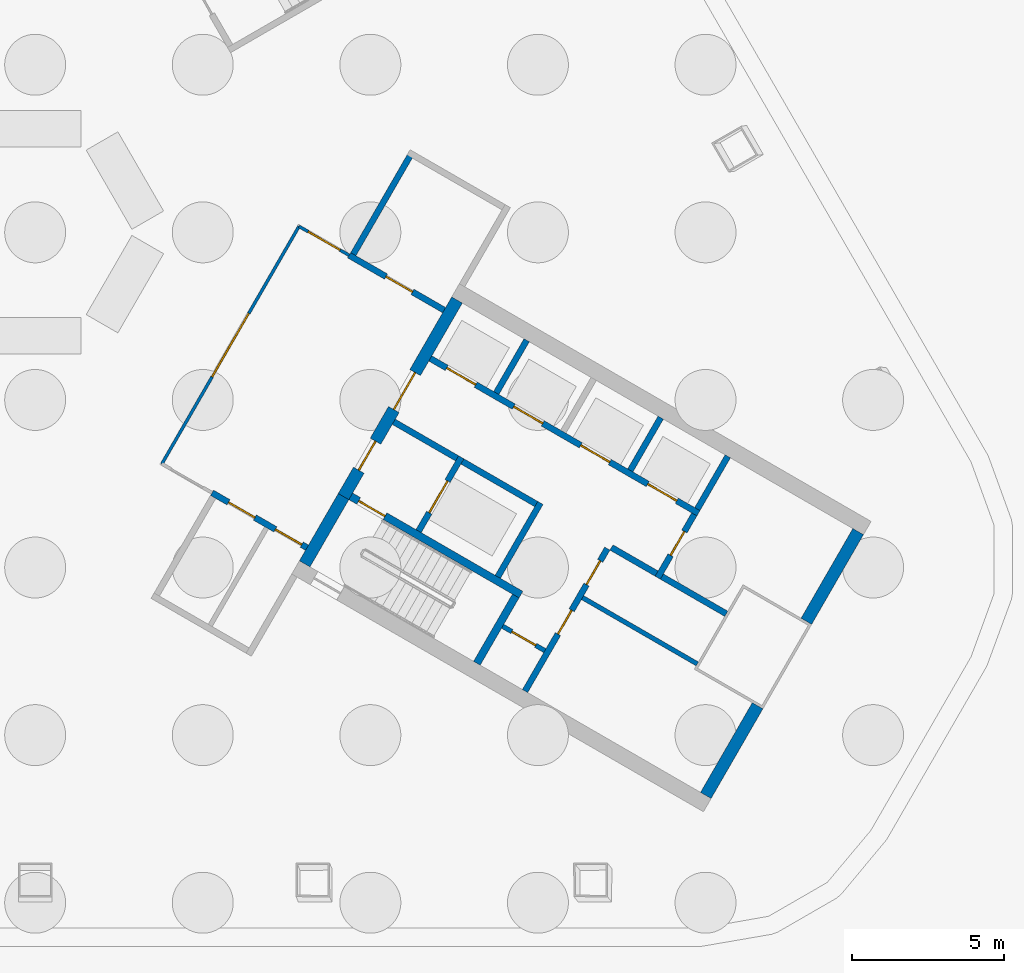
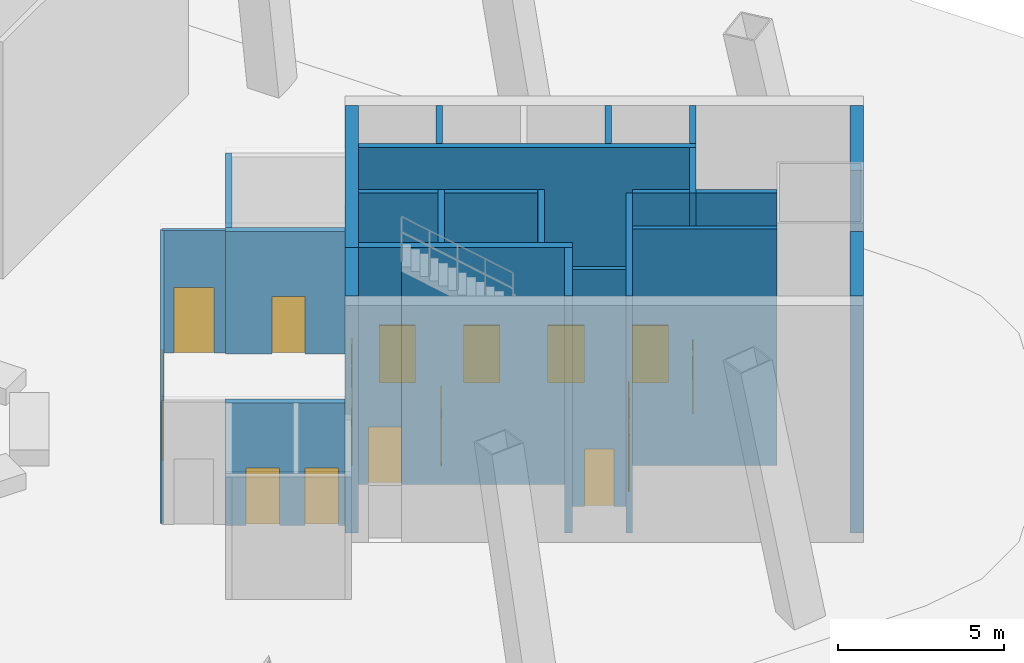
# One storey, part 4 of 10: 26 walls, 17 doors, 17 openings.
"""IFC4 building model written with IfcOpenShell, lengths in metres."""

from ifc_helpers import new_model, si_unit, direction, frame, frame_2d, origin, place, context, subcontext, project, spatial, rectangle, extrude, material, layer, layer_set, type_object, element, fill, save


model = new_model("IFC4")

# Units and contexts
model_context = context("Model", 3, precision=1e-05, world=origin(), true_north=direction((0.0, 1.0)))
body_context = subcontext(model_context, "Body", "Model", "MODEL_VIEW")
ifc_project = project(units=[si_unit("LENGTHUNIT", "METRE"), si_unit("AREAUNIT", "SQUARE_METRE"), si_unit("VOLUMEUNIT", "CUBIC_METRE"), si_unit("PLANEANGLEUNIT", "RADIAN"), si_unit("MASSUNIT", "GRAM", prefix="KILO")], contexts=[model_context])

# Site, building, storey
site_placement = place(None, origin())
site = spatial("IfcSite", under=ifc_project, at=site_placement, CompositionType="ELEMENT")
building_placement = place(site_placement, origin())
building = spatial("IfcBuilding", under=site, at=building_placement, Name="Apuvela Tower Hotel", CompositionType="ELEMENT")
storey_placement = place(building_placement, origin())
storey = spatial("IfcBuildingStorey", under=building, at=storey_placement, Name="L00", CompositionType="ELEMENT", Elevation=0.0)

# Walls
ifc_material_1 = material(Name="Concrete C50/60", Category="concrete")
ifc_layer_1 = layer(ifc_material_1, 0.39990234375)
ifc_layer_set_1 = layer_set([ifc_layer_1], Name="COR-WALL-CORE-400")
wall_type_1 = type_object("IfcWallType", Name="COR-WALL-CORE-400", PredefinedType="SHEAR", material=ifc_layer_set_1)
wall_1_placement = place(storey_placement, frame((25.30859375, -12.764404296875, 0.0), z_axis=(0.0, 0.0, 1.0), x_axis=(0.499977295307, 0.866038511948, 0.0)))
element("IfcWall", 1, at=wall_1_placement, inside=storey, type_object=wall_type_1, Name="Core wall SE", PredefinedType="SHEAR", context=body_context, shape_type="SweptSolid", body=[
    extrude(rectangle(XDim=3.400146484375, YDim=0.39990234375, at=frame_2d((1.7001953125, 0.0))), origin(), (0.0, 0.0, 1.0), 8.699951171875),
])
wall_2_placement = place(storey_placement, frame((22.008544921875, -18.47998046875, 0.0), z_axis=(0.0, 0.0, 1.0), x_axis=(0.500008388397, 0.866020560687, 0.0)))
element("IfcWall", 2, at=wall_2_placement, inside=storey, type_object=wall_type_1, Name="Core wall SE", PredefinedType="SHEAR", context=body_context, shape_type="SweptSolid", body=[
    extrude(rectangle(XDim=3.39990234375, YDim=0.39990234375, at=frame_2d((1.699951171875, 0.0))), origin(), (0.0, 0.0, 1.0), 8.699951171875),
])
wall_3_placement = place(storey_placement, frame((8.844970703125, -10.880126953125, 0.0), z_axis=(0.0, 0.0, 1.0), x_axis=(0.499990435942, 0.866030925526, 0.0)))
element("IfcWall", 3, at=wall_3_placement, inside=storey, type_object=wall_type_1, Name="Core wall SE", PredefinedType="SHEAR", context=body_context, shape_type="SweptSolid", body=[
    extrude(rectangle(XDim=2.5498046875, YDim=0.39990234375, at=frame_2d((1.27490234375, 0.0))), origin(), (0.0, 0.0, 1.0), 8.699951171875),
])

# Wall, openings, doors
wall_4_placement = place(storey_placement, frame((10.119873046875, -8.671875, 0.0), z_axis=(0.0, 0.0, 1.0), x_axis=(0.500008956979, 0.866020232408, 0.0)))
wall_4 = element("IfcWall", 4, at=wall_4_placement, inside=storey, type_object=wall_type_1, Name="Core wall SE", PredefinedType="SHEAR", context=body_context, shape_type="SweptSolid", body=[
    extrude(rectangle(XDim=7.449951171875, YDim=0.39990234375, at=frame_2d((3.72509765625, 0.0))), origin(), (0.0, 0.0, 1.0), 8.699951171875),
])
opening_1_placement = place(wall_4_placement, frame((1.0, 0.0, 0.0)))
opening_1 = element("IfcOpeningElement", 5, at=opening_1_placement, cuts=wall_4, Name="Opening E-FD", PredefinedType="OPENING", context=body_context, shape_type="SweptSolid", body=[
    extrude(rectangle(XDim=1.10009765625, YDim=2.10009765625, at=frame_2d((0.550048828125, 1.050048828125))), frame((0.0, 0.2099609375, 0.0), z_axis=(0.0, -1.0, 0.0), x_axis=(1.0, 0.0, 0.0)), (0.0, 0.0, 1.0), 0.419921875),
])
opening_2_placement = place(wall_4_placement, frame((3.300048828125, 0.0, 0.0)))
opening_2 = element("IfcOpeningElement", 6, at=opening_2_placement, cuts=wall_4, Name="Opening E-GD", PredefinedType="OPENING", context=body_context, shape_type="SweptSolid", body=[
    extrude(rectangle(XDim=1.39990234375, YDim=2.10009765625, at=frame_2d((0.699951171875, 1.050048828125))), frame((0.0, 0.2099609375, 0.0), z_axis=(0.0, -1.0, 0.0), x_axis=(1.0, 0.0, 0.0)), (0.0, 0.0, 1.0), 0.419921875),
])
ifc_material_2 = material(Name="Steel fire door, powder coated", Category="steel")
door_type_1 = type_object("IfcDoorType", Name="COR-FD-1100", OperationType="NOTDEFINED", PredefinedType="DOOR", material=ifc_material_2)
door_1_placement = place(opening_1_placement, origin())
door_1 = element("IfcDoor", 7, at=door_1_placement, inside=storey, type_object=door_type_1, Name="Firefighting lobby door E-FD", OperationType="SINGLE_SWING_RIGHT", OverallHeight=2.10009765625, OverallWidth=1.10009765625, PredefinedType="DOOR", context=body_context, shape_type="SweptSolid", body=[
    extrude(rectangle(XDim=1.10009765625, YDim=2.10009765625, at=frame_2d((0.550048828125, 1.050048828125))), frame((0.0, 0.02490234375, 0.0), z_axis=(0.0, -1.0, 0.0), x_axis=(1.0, 0.0, 0.0)), (0.0, 0.0, 1.0), 0.050048828125),
])
fill(opening_1, door_1)
ifc_material_3 = material(Name="Glazed steel fire door", Category="steel")
door_type_2 = type_object("IfcDoorType", Name="COR-GD-1400", OperationType="DOUBLE_DOOR_SINGLE_SWING", PredefinedType="DOOR", material=ifc_material_3)
door_2_placement = place(opening_2_placement, origin())
door_2 = element("IfcDoor", 8, at=door_2_placement, inside=storey, type_object=door_type_2, Name="Lift lobby door E-GD", OperationType="DOUBLE_DOOR_SINGLE_SWING", OverallHeight=2.10009765625, OverallWidth=1.39990234375, PredefinedType="DOOR", context=body_context, shape_type="SweptSolid", body=[
    extrude(rectangle(XDim=1.39990234375, YDim=2.10009765625, at=frame_2d((0.699951171875, 1.050048828125))), frame((0.0, 0.02490234375, 0.0), z_axis=(0.0, -1.0, 0.0), x_axis=(1.0, 0.0, 0.0)), (0.0, 0.0, 1.0), 0.050048828125),
])
fill(opening_2, door_2)

# Wall, opening, door
ifc_material_4 = material(Name="Blockwork 150 mm plastered", Category="masonry")
ifc_layer_2 = layer(ifc_material_4, 0.14990234375)
ifc_layer_set_2 = layer_set([ifc_layer_2], Name="COR-WALL-PART-150")
wall_type_2 = type_object("IfcWallType", Name="COR-WALL-PART-150", PredefinedType="PARTITIONING", material=ifc_layer_set_2)
wall_5_placement = place(storey_placement, frame((15.341552734375, -12.927734375, 0.0), z_axis=(0.0, 0.0, 1.0), x_axis=(0.865989903783, -0.500061482766, 0.0)))
wall_5 = element("IfcWall", 9, at=wall_5_placement, inside=storey, type_object=wall_type_2, Name="Partition SE", PredefinedType="PARTITIONING", context=body_context, shape_type="SweptSolid", body=[
    extrude(rectangle(XDim=1.599853515625, YDim=0.14990234375, at=frame_2d((0.7998046875, 0.0))), origin(), (0.0, 0.0, 1.0), 8.699951171875),
])
opening_3_placement = place(wall_5_placement, frame((0.35009765625, 0.0, 0.0)))
opening_3 = element("IfcOpeningElement", 10, at=opening_3_placement, cuts=wall_5, Name="Opening E-RD", PredefinedType="OPENING", context=body_context, shape_type="SweptSolid", body=[
    extrude(rectangle(XDim=0.89990234375, YDim=2.10009765625, at=frame_2d((0.449951171875, 1.050048828125))), frame((0.0, 0.0849609375, 0.0), z_axis=(0.0, -1.0, 0.0), x_axis=(1.0, 0.0, 0.0)), (0.0, 0.0, 1.0), 0.169921875),
])
ifc_material_5 = material(Name="Steel access door, powder coated", Category="steel")
door_type_3 = type_object("IfcDoorType", Name="COR-RD-900", OperationType="NOTDEFINED", PredefinedType="DOOR", material=ifc_material_5)
door_3_placement = place(opening_3_placement, frame((0.89990234375, 0.0, 0.0), z_axis=(0.0, 0.0, 1.0), x_axis=(-1.0, 0.0, 0.0)))
door_3 = element("IfcDoor", 11, at=door_3_placement, inside=storey, type_object=door_type_3, Name="Riser door E-RD", OperationType="SINGLE_SWING_LEFT", OverallHeight=2.10009765625, OverallWidth=0.89990234375, PredefinedType="DOOR", context=body_context, shape_type="SweptSolid", body=[
    extrude(rectangle(XDim=0.89990234375, YDim=2.10009765625, at=frame_2d((0.449951171875, 1.050048828125))), frame((0.0, 0.02490234375, 0.0), z_axis=(0.0, -1.0, 0.0), x_axis=(1.0, 0.0, 0.0)), (0.0, 0.0, 1.0), 0.050048828125),
])
fill(opening_3, door_3)

# Wall
wall_6_placement = place(storey_placement, frame((17.962890625, -11.9873046875, 0.0), z_axis=(0.0, 0.0, 1.0), x_axis=(0.866013608182, -0.500020430026, 0.0)))
element("IfcWall", 12, at=wall_6_placement, inside=storey, type_object=wall_type_2, Name="Partition SE", PredefinedType="PARTITIONING", context=body_context, shape_type="SweptSolid", body=[
    extrude(rectangle(XDim=4.349853515625, YDim=0.14990234375, at=frame_2d((2.1748046875, 0.0))), origin(), (0.0, 0.0, 1.0), 8.699951171875),
])

# Wall, openings, doors
ifc_material_6 = material(Name="Blockwork 200 mm plastered", Category="masonry")
ifc_layer_3 = layer(ifc_material_6, 0.199951171875)
ifc_layer_set_3 = layer_set([ifc_layer_3], Name="COR-WALL-PART-200")
wall_type_3 = type_object("IfcWallType", Name="COR-WALL-PART-200", PredefinedType="PARTITIONING", material=ifc_layer_set_3)
wall_7_placement = place(storey_placement, frame((16.076171875, -15.05517578125, 0.0), z_axis=(0.0, 0.0, 1.0), x_axis=(0.499995103361, 0.866028230842, 0.0)))
wall_7 = element("IfcWall", 13, at=wall_7_placement, inside=storey, type_object=wall_type_3, Name="Partition SE", PredefinedType="PARTITIONING", context=body_context, shape_type="SweptSolid", body=[
    extrude(rectangle(XDim=5.39990234375, YDim=0.199951171875, at=frame_2d((2.699951171875, 0.0))), origin(), (0.0, 0.0, 1.0), 8.699951171875),
])
opening_4_placement = place(wall_7_placement, frame((2.16259765625, 0.0, 0.0)))
opening_4 = element("IfcOpeningElement", 14, at=opening_4_placement, cuts=wall_7, Name="Opening E-RS1", PredefinedType="OPENING", context=body_context, shape_type="SweptSolid", body=[
    extrude(rectangle(XDim=0.89990234375, YDim=2.10009765625, at=frame_2d((0.449951171875, 1.050048828125))), frame((0.0, 0.10986328125, 0.0), z_axis=(0.0, -1.0, 0.0), x_axis=(1.0, 0.0, 0.0)), (0.0, 0.0, 1.0), 0.219970703125),
])
opening_5_placement = place(wall_7_placement, frame((4.03759765625, 0.0, 0.0)))
opening_5 = element("IfcOpeningElement", 15, at=opening_5_placement, cuts=wall_7, Name="Opening E-RS2", PredefinedType="OPENING", context=body_context, shape_type="SweptSolid", body=[
    extrude(rectangle(XDim=0.89990234375, YDim=2.10009765625, at=frame_2d((0.449951171875, 1.050048828125))), frame((0.0, 0.10986328125, 0.0), z_axis=(0.0, -1.0, 0.0), x_axis=(1.0, 0.0, 0.0)), (0.0, 0.0, 1.0), 0.219970703125),
])
door_type_4 = type_object("IfcDoorType", Name="COR-DR-900", OperationType="NOTDEFINED", PredefinedType="DOOR", material=ifc_material_2)
door_4_placement = place(opening_4_placement, frame((0.89990234375, 0.0, 0.0), z_axis=(0.0, 0.0, 1.0), x_axis=(-1.0, 0.0, 0.0)))
door_4 = element("IfcDoor", 16, at=door_4_placement, inside=storey, type_object=door_type_4, Name="Store door E-RS1", OperationType="SINGLE_SWING_LEFT", OverallHeight=2.10009765625, OverallWidth=0.89990234375, PredefinedType="DOOR", context=body_context, shape_type="SweptSolid", body=[
    extrude(rectangle(XDim=0.89990234375, YDim=2.10009765625, at=frame_2d((0.449951171875, 1.050048828125))), frame((0.0, 0.02490234375, 0.0), z_axis=(0.0, -1.0, 0.0), x_axis=(1.0, 0.0, 0.0)), (0.0, 0.0, 1.0), 0.050048828125),
])
fill(opening_4, door_4)
door_5_placement = place(opening_5_placement, frame((0.89990234375, 0.0, 0.0), z_axis=(0.0, 0.0, 1.0), x_axis=(-1.0, 0.0, 0.0)))
door_5 = element("IfcDoor", 17, at=door_5_placement, inside=storey, type_object=door_type_4, Name="Store door E-RS2", OperationType="SINGLE_SWING_LEFT", OverallHeight=2.10009765625, OverallWidth=0.89990234375, PredefinedType="DOOR", context=body_context, shape_type="SweptSolid", body=[
    extrude(rectangle(XDim=0.89990234375, YDim=2.10009765625, at=frame_2d((0.449951171875, 1.050048828125))), frame((0.0, 0.02490234375, 0.0), z_axis=(0.0, -1.0, 0.0), x_axis=(1.0, 0.0, 0.0)), (0.0, 0.0, 1.0), 0.050048828125),
])
fill(opening_5, door_5)

# Wall
ifc_layer_4 = layer(ifc_material_1, 0.199951171875)
ifc_layer_set_4 = layer_set([ifc_layer_4], Name="COR-WALL-SHAFT-200")
wall_type_4 = type_object("IfcWallType", Name="COR-WALL-SHAFT-200", PredefinedType="SHEAR", material=ifc_layer_set_4)
wall_8_placement = place(storey_placement, frame((15.181396484375, -11.305419921875, 0.0), z_axis=(0.0, 0.0, 1.0), x_axis=(0.49994636267, 0.866056369097, 0.0)))
element("IfcWall", 18, at=wall_8_placement, inside=storey, type_object=wall_type_4, Name="Shaft wall SE", PredefinedType="SHEAR", context=body_context, shape_type="SweptSolid", body=[
    extrude(rectangle(XDim=2.800048828125, YDim=0.199951171875, at=frame_2d((1.39990234375, 0.0))), origin(), (0.0, 0.0, 1.0), 8.699951171875),
])

# Wall, opening, door
wall_9_placement = place(storey_placement, frame((12.583251953125, -9.805419921875, 0.0), z_axis=(0.0, 0.0, 1.0), x_axis=(0.49994636267, 0.866056369097, 0.0)))
wall_9 = element("IfcWall", 19, at=wall_9_placement, inside=storey, type_object=wall_type_4, Name="Shaft wall SE", PredefinedType="SHEAR", context=body_context, shape_type="SweptSolid", body=[
    extrude(rectangle(XDim=2.800048828125, YDim=0.199951171875, at=frame_2d((1.39990234375, 0.0))), origin(), (0.0, 0.0, 1.0), 8.699951171875),
])
opening_6_placement = place(wall_9_placement, frame((0.699951171875, 0.0, 0.0)))
opening_6 = element("IfcOpeningElement", 20, at=opening_6_placement, cuts=wall_9, Name="Opening E-LD-FS3", PredefinedType="OPENING", context=body_context, shape_type="SweptSolid", body=[
    extrude(rectangle(XDim=1.199951171875, YDim=2.10009765625, at=frame_2d((0.60009765625, 1.050048828125))), frame((0.0, 0.10986328125, 0.0), z_axis=(0.0, -1.0, 0.0), x_axis=(1.0, 0.0, 0.0)), (0.0, 0.0, 1.0), 0.219970703125),
])
ifc_material_7 = material(Name="Stainless steel lift landing door", Category="steel")
door_type_5 = type_object("IfcDoorType", Name="COR-LD-1200", OperationType="DOUBLE_DOOR_SLIDING", PredefinedType="DOOR", material=ifc_material_7)
door_6_placement = place(opening_6_placement, origin())
door_6 = element("IfcDoor", 21, at=door_6_placement, inside=storey, type_object=door_type_5, Name="Lift landing door E-LD-FS3", OperationType="DOUBLE_DOOR_SLIDING", OverallHeight=2.10009765625, OverallWidth=1.199951171875, PredefinedType="DOOR", context=body_context, shape_type="SweptSolid", body=[
    extrude(rectangle(XDim=1.199951171875, YDim=2.10009765625, at=frame_2d((0.60009765625, 1.050048828125))), frame((0.0, 0.02490234375, 0.0), z_axis=(0.0, -1.0, 0.0), x_axis=(1.0, 0.0, 0.0)), (0.0, 0.0, 1.0), 0.050048828125),
])
fill(opening_6, door_6)

# Walls
wall_10_placement = place(storey_placement, frame((11.76806640625, -6.217041015625, 0.0), z_axis=(0.0, 0.0, 1.0), x_axis=(0.866050077142, -0.499957262057, 0.0)))
element("IfcWall", 22, at=wall_10_placement, inside=storey, type_object=wall_type_4, Name="Shaft wall SE", PredefinedType="SHEAR", context=body_context, shape_type="SweptSolid", body=[
    extrude(rectangle(XDim=2.400146484375, YDim=0.199951171875, at=frame_2d((1.2001953125, 0.0))), origin(), (0.0, 0.0, 1.0), 8.699951171875),
])
wall_11_placement = place(storey_placement, frame((14.019775390625, -7.51708984375, 0.0), z_axis=(0.0, 0.0, 1.0), x_axis=(0.866034573852, -0.49998411664, 0.0)))
element("IfcWall", 23, at=wall_11_placement, inside=storey, type_object=wall_type_4, Name="Shaft wall SE", PredefinedType="SHEAR", context=body_context, shape_type="SweptSolid", body=[
    extrude(rectangle(XDim=2.7998046875, YDim=0.199951171875, at=frame_2d((1.39990234375, 0.0))), origin(), (0.0, 0.0, 1.0), 8.699951171875),
])

# Wall, openings, doors
wall_12_placement = place(storey_placement, frame((12.968017578125, -4.138427734375, 0.0), z_axis=(0.0, 0.0, 1.0), x_axis=(0.866028328073, -0.49999493495, 0.0)))
wall_12 = element("IfcWall", 24, at=wall_12_placement, inside=storey, type_object=wall_type_4, Name="Shaft wall SE", PredefinedType="SHEAR", context=body_context, shape_type="SweptSolid", body=[
    extrude(rectangle(XDim=10.16015625, YDim=0.199951171875, at=frame_2d((5.080078125, 0.0))), origin(), (0.0, 0.0, 1.0), 8.699951171875),
])
opening_7_placement = place(wall_12_placement, frame((0.6201171875, 0.0, 0.0)))
opening_7 = element("IfcOpeningElement", 25, at=opening_7_placement, cuts=wall_12, Name="Opening E-LD-LR1", PredefinedType="OPENING", context=body_context, shape_type="SweptSolid", body=[
    extrude(rectangle(XDim=1.10009765625, YDim=2.10009765625, at=frame_2d((0.550048828125, 1.050048828125))), frame((0.0, 0.10986328125, 0.0), z_axis=(0.0, -1.0, 0.0), x_axis=(1.0, 0.0, 0.0)), (0.0, 0.0, 1.0), 0.219970703125),
])
opening_8_placement = place(wall_12_placement, frame((3.159912109375, 0.0, 0.0)))
opening_8 = element("IfcOpeningElement", 26, at=opening_8_placement, cuts=wall_12, Name="Opening E-LD-LR2", PredefinedType="OPENING", context=body_context, shape_type="SweptSolid", body=[
    extrude(rectangle(XDim=1.10009765625, YDim=2.10009765625, at=frame_2d((0.550048828125, 1.050048828125))), frame((0.0, 0.10986328125, 0.0), z_axis=(0.0, -1.0, 0.0), x_axis=(1.0, 0.0, 0.0)), (0.0, 0.0, 1.0), 0.219970703125),
])
opening_9_placement = place(wall_12_placement, frame((5.699951171875, 0.0, 0.0)))
opening_9 = element("IfcOpeningElement", 27, at=opening_9_placement, cuts=wall_12, Name="Opening E-LD-LR3", PredefinedType="OPENING", context=body_context, shape_type="SweptSolid", body=[
    extrude(rectangle(XDim=1.10009765625, YDim=2.10009765625, at=frame_2d((0.550048828125, 1.050048828125))), frame((0.0, 0.10986328125, 0.0), z_axis=(0.0, -1.0, 0.0), x_axis=(1.0, 0.0, 0.0)), (0.0, 0.0, 1.0), 0.219970703125),
])
opening_10_placement = place(wall_12_placement, frame((8.239990234375, 0.0, 0.0)))
opening_10 = element("IfcOpeningElement", 28, at=opening_10_placement, cuts=wall_12, Name="Opening E-LD-LR4", PredefinedType="OPENING", context=body_context, shape_type="SweptSolid", body=[
    extrude(rectangle(XDim=1.10009765625, YDim=2.10009765625, at=frame_2d((0.550048828125, 1.050048828125))), frame((0.0, 0.10986328125, 0.0), z_axis=(0.0, -1.0, 0.0), x_axis=(1.0, 0.0, 0.0)), (0.0, 0.0, 1.0), 0.219970703125),
])
door_type_6 = type_object("IfcDoorType", Name="COR-LD-1100", OperationType="DOUBLE_DOOR_SLIDING", PredefinedType="DOOR", material=ifc_material_7)
door_7_placement = place(opening_7_placement, origin())
door_7 = element("IfcDoor", 29, at=door_7_placement, inside=storey, type_object=door_type_6, Name="Lift landing door E-LD-LR1", OperationType="DOUBLE_DOOR_SLIDING", OverallHeight=2.10009765625, OverallWidth=1.10009765625, PredefinedType="DOOR", context=body_context, shape_type="SweptSolid", body=[
    extrude(rectangle(XDim=1.10009765625, YDim=2.10009765625, at=frame_2d((0.550048828125, 1.050048828125))), frame((0.0, 0.02490234375, 0.0), z_axis=(0.0, -1.0, 0.0), x_axis=(1.0, 0.0, 0.0)), (0.0, 0.0, 1.0), 0.050048828125),
])
fill(opening_7, door_7)
door_8_placement = place(opening_8_placement, origin())
door_8 = element("IfcDoor", 30, at=door_8_placement, inside=storey, type_object=door_type_6, Name="Lift landing door E-LD-LR2", OperationType="DOUBLE_DOOR_SLIDING", OverallHeight=2.10009765625, OverallWidth=1.10009765625, PredefinedType="DOOR", context=body_context, shape_type="SweptSolid", body=[
    extrude(rectangle(XDim=1.10009765625, YDim=2.10009765625, at=frame_2d((0.550048828125, 1.050048828125))), frame((0.0, 0.02490234375, 0.0), z_axis=(0.0, -1.0, 0.0), x_axis=(1.0, 0.0, 0.0)), (0.0, 0.0, 1.0), 0.050048828125),
])
fill(opening_8, door_8)
door_9_placement = place(opening_9_placement, origin())
door_9 = element("IfcDoor", 31, at=door_9_placement, inside=storey, type_object=door_type_6, Name="Lift landing door E-LD-LR3", OperationType="DOUBLE_DOOR_SLIDING", OverallHeight=2.10009765625, OverallWidth=1.10009765625, PredefinedType="DOOR", context=body_context, shape_type="SweptSolid", body=[
    extrude(rectangle(XDim=1.10009765625, YDim=2.10009765625, at=frame_2d((0.550048828125, 1.050048828125))), frame((0.0, 0.02490234375, 0.0), z_axis=(0.0, -1.0, 0.0), x_axis=(1.0, 0.0, 0.0)), (0.0, 0.0, 1.0), 0.050048828125),
])
fill(opening_9, door_9)
door_10_placement = place(opening_10_placement, origin())
door_10 = element("IfcDoor", 32, at=door_10_placement, inside=storey, type_object=door_type_6, Name="Lift landing door E-LD-LR4", OperationType="DOUBLE_DOOR_SLIDING", OverallHeight=2.10009765625, OverallWidth=1.10009765625, PredefinedType="DOOR", context=body_context, shape_type="SweptSolid", body=[
    extrude(rectangle(XDim=1.10009765625, YDim=2.10009765625, at=frame_2d((0.550048828125, 1.050048828125))), frame((0.0, 0.02490234375, 0.0), z_axis=(0.0, -1.0, 0.0), x_axis=(1.0, 0.0, 0.0)), (0.0, 0.0, 1.0), 0.050048828125),
])
fill(opening_10, door_10)

# Wall, opening, door
wall_13_placement = place(storey_placement, frame((20.430419921875, -11.33349609375, 0.0), z_axis=(0.0, 0.0, 1.0), x_axis=(0.500001309137, 0.866024647952, 0.0)))
wall_13 = element("IfcWall", 33, at=wall_13_placement, inside=storey, type_object=wall_type_4, Name="Shaft wall SE", PredefinedType="SHEAR", context=body_context, shape_type="SweptSolid", body=[
    extrude(rectangle(XDim=2.39990234375, YDim=0.199951171875, at=frame_2d((1.199951171875, 0.0))), origin(), (0.0, 0.0, 1.0), 8.699951171875),
])
opening_11_placement = place(wall_13_placement, frame((0.85009765625, 0.0, 0.0)))
opening_11 = element("IfcOpeningElement", 34, at=opening_11_placement, cuts=wall_13, Name="Opening E-REP", PredefinedType="OPENING", context=body_context, shape_type="SweptSolid", body=[
    extrude(rectangle(XDim=0.89990234375, YDim=2.10009765625, at=frame_2d((0.449951171875, 1.050048828125))), frame((0.0, 0.10986328125, 0.0), z_axis=(0.0, -1.0, 0.0), x_axis=(1.0, 0.0, 0.0)), (0.0, 0.0, 1.0), 0.219970703125),
])
door_11_placement = place(opening_11_placement, frame((0.89990234375, 0.0, 0.0), z_axis=(0.0, 0.0, 1.0), x_axis=(-1.0, 0.0, 0.0)))
door_11 = element("IfcDoor", 35, at=door_11_placement, inside=storey, type_object=door_type_4, Name="Store door E-REP", OperationType="SINGLE_SWING_RIGHT", OverallHeight=2.10009765625, OverallWidth=0.89990234375, PredefinedType="DOOR", context=body_context, shape_type="SweptSolid", body=[
    extrude(rectangle(XDim=0.89990234375, YDim=2.10009765625, at=frame_2d((0.449951171875, 1.050048828125))), frame((0.0, 0.02490234375, 0.0), z_axis=(0.0, -1.0, 0.0), x_axis=(1.0, 0.0, 0.0)), (0.0, 0.0, 1.0), 0.050048828125),
])
fill(opening_11, door_11)

# Walls
wall_14_placement = place(storey_placement, frame((18.912841796875, -10.342041015625, 0.0), z_axis=(0.0, 0.0, 1.0), x_axis=(0.866038183914, -0.499977863513, 0.0)))
element("IfcWall", 36, at=wall_14_placement, inside=storey, type_object=wall_type_4, Name="Shaft wall SE", PredefinedType="SHEAR", context=body_context, shape_type="SweptSolid", body=[
    extrude(rectangle(XDim=1.7099609375, YDim=0.199951171875, at=frame_2d((0.85498046875, 0.0))), origin(), (0.0, 0.0, 1.0), 8.699951171875),
])
for number, where, z_axis, x_axis, name in (
    (37, (15.131103515625, -5.27197265625, 0.0), (0.0, 0.0, 1.0), (0.499972520799, 0.866041268327, 0.0), "Shaft wall SE"),
    (38, (19.530517578125, -7.81201171875, 0.0), (0.0, 0.0, 1.0), (0.499972520799, 0.866041268327, 0.0), "Shaft wall SE"),
    (39, (21.73046875, -9.081787109375, 0.0), (0.0, 0.0, 1.0), (0.50002537861, 0.866010750942, 0.0), "Shaft wall SE"),
):
    element("IfcWall", number, at=place(storey_placement, frame(where, z_axis=z_axis, x_axis=x_axis)), inside=storey, type_object=wall_type_4, Name=name, PredefinedType="SHEAR", context=body_context, shape_type="SweptSolid", body=[
        extrude(rectangle(XDim=2.0, YDim=0.199951171875, at=frame_2d((1.0, 0.0))), origin(), (0.0, 0.0, 1.0), 8.699951171875),
    ])
wall_15_placement = place(storey_placement, frame((20.56689453125, -11.297119140625, 0.0), z_axis=(0.0, 0.0, 1.0), x_axis=(0.866048967903, -0.499959183527, 0.0)))
element("IfcWall", 40, at=wall_15_placement, inside=storey, type_object=wall_type_4, Name="Shaft wall SE", PredefinedType="SHEAR", context=body_context, shape_type="SweptSolid", body=[
    extrude(rectangle(XDim=2.440185546875, YDim=0.199951171875, at=frame_2d((1.22021484375, 0.0))), origin(), (0.0, 0.0, 1.0), 8.699951171875),
])
ifc_layer_5 = layer(ifc_material_1, 0.25)
ifc_layer_set_5 = layer_set([ifc_layer_5], Name="COR-WALL-STAIR-250")
wall_type_5 = type_object("IfcWallType", Name="COR-WALL-STAIR-250", PredefinedType="SHEAR", material=ifc_layer_set_5)
wall_16_placement = place(storey_placement, frame((14.49560546875, -14.142578125, 0.0), z_axis=(0.0, 0.0, 1.0), x_axis=(0.500062241894, 0.865989465428, 0.0)))
element("IfcWall", 41, at=wall_16_placement, inside=storey, type_object=wall_type_5, Name="Stair wall SE", PredefinedType="SHEAR", context=body_context, shape_type="SweptSolid", body=[
    extrude(rectangle(XDim=2.550048828125, YDim=0.25, at=frame_2d((1.27490234375, 0.0))), origin(), (0.0, 0.0, 1.0), 8.699951171875),
])

# Wall, opening, door
wall_17_placement = place(storey_placement, frame((10.355712890625, -8.66357421875, 0.0), z_axis=(0.0, 0.0, 1.0), x_axis=(0.866095317631, -0.499878886109, 0.0)))
wall_17 = element("IfcWall", 42, at=wall_17_placement, inside=storey, type_object=wall_type_5, Name="Stair wall SE", PredefinedType="SHEAR", context=body_context, shape_type="SweptSolid", body=[
    extrude(rectangle(XDim=1.305908203125, YDim=0.25, at=frame_2d((0.65283203125, 0.0))), origin(), (0.0, 0.0, 1.0), 8.699951171875),
])
opening_12_placement = place(wall_17_placement, frame((0.300048828125, 0.0, 0.0)))
opening_12 = element("IfcOpeningElement", 43, at=opening_12_placement, cuts=wall_17, Name="Opening E-SD", PredefinedType="OPENING", context=body_context, shape_type="SweptSolid", body=[
    extrude(rectangle(XDim=1.0, YDim=2.10009765625, at=frame_2d((0.5, 1.050048828125))), frame((0.0, 0.135009765625, 0.0), z_axis=(0.0, -1.0, 0.0), x_axis=(1.0, 0.0, 0.0)), (0.0, 0.0, 1.0), 0.27001953125),
])
door_type_7 = type_object("IfcDoorType", Name="COR-SD-1000", OperationType="NOTDEFINED", PredefinedType="DOOR", material=ifc_material_2)
door_12_placement = place(opening_12_placement, origin())
door_12 = element("IfcDoor", 44, at=door_12_placement, inside=storey, type_object=door_type_7, Name="Stair door E-SD", OperationType="SINGLE_SWING_RIGHT", OverallHeight=2.10009765625, OverallWidth=1.0, PredefinedType="DOOR", context=body_context, shape_type="SweptSolid", body=[
    extrude(rectangle(XDim=1.0, YDim=2.10009765625, at=frame_2d((0.5, 1.050048828125))), frame((0.0, 0.02490234375, 0.0), z_axis=(0.0, -1.0, 0.0), x_axis=(1.0, 0.0, 0.0)), (0.0, 0.0, 1.0), 0.050048828125),
])
fill(opening_12, door_12)

# Wall
wall_18_placement = place(storey_placement, frame((11.48681640625, -9.31640625, 0.0), z_axis=(0.0, 0.0, 1.0), x_axis=(0.866011695431, -0.500023742813, 0.0)))
element("IfcWall", 45, at=wall_18_placement, inside=storey, type_object=wall_type_5, Name="Stair wall SE", PredefinedType="SHEAR", context=body_context, shape_type="SweptSolid", body=[
    extrude(rectangle(XDim=5.143798828125, YDim=0.25, at=frame_2d((2.57177734375, 0.0))), origin(), (0.0, 0.0, 1.0), 8.699951171875),
])

# Wall, opening, door
ifc_material_8 = material(Name="Tempered glass in black anodised aluminium frame", Category="aluminium")
ifc_layer_6 = layer(ifc_material_8, 0.10009765625)
ifc_layer_set_6 = layer_set([ifc_layer_6], Name="SPC-WALL-GLAZED")
wall_type_6 = type_object("IfcWallType", Name="SPC-WALL-GLAZED", PredefinedType="PARTITIONING", material=ifc_layer_set_6)
wall_19_placement = place(storey_placement, frame((4.15869140625, -7.59716796875, 0.0), z_axis=(0.0, 0.0, 1.0), x_axis=(0.5000018851, 0.866024315419, 0.0)))
wall_19 = element("IfcWall", 46, at=wall_19_placement, inside=storey, type_object=wall_type_6, Name="Pavilion glazed wall F", PredefinedType="PARTITIONING", context=body_context, shape_type="SweptSolid", body=[
    extrude(rectangle(XDim=9.0, YDim=0.10009765625, at=frame_2d((4.5, 0.0))), origin(), (0.0, 0.0, 1.0), 4.5),
])
opening_13_placement = place(wall_19_placement, frame((3.300048828125, 0.0, 0.0)))
opening_13 = element("IfcOpeningElement", 47, at=opening_13_placement, cuts=wall_19, Name="Opening L00-S03", PredefinedType="OPENING", context=body_context, shape_type="SweptSolid", body=[
    extrude(rectangle(XDim=2.39990234375, YDim=2.39990234375, at=frame_2d((1.199951171875, 1.199951171875))), frame((0.0, 0.06005859375, 0.0), z_axis=(0.0, -1.0, 0.0), x_axis=(1.0, 0.0, 0.0)), (0.0, 0.0, 1.0), 0.1201171875),
])
ifc_material_9 = material(Name="Tempered glass door leaf in black aluminium frame", Category="aluminium")
door_type_8 = type_object("IfcDoorType", Name="SPC-DOOR-2400-GLAZED", OperationType="NOTDEFINED", PredefinedType="DOOR", material=ifc_material_9)
door_13_placement = place(opening_13_placement, origin())
door_13 = element("IfcDoor", 48, at=door_13_placement, inside=storey, type_object=door_type_8, Name="L00-S03", OperationType="DOUBLE_DOOR_SLIDING", OverallHeight=2.39990234375, OverallWidth=2.39990234375, PredefinedType="DOOR", context=body_context, shape_type="SweptSolid", body=[
    extrude(rectangle(XDim=2.39990234375, YDim=2.39990234375, at=frame_2d((1.199951171875, 1.199951171875))), frame((0.0, 0.02490234375, 0.0), z_axis=(0.0, -1.0, 0.0), x_axis=(1.0, 0.0, 0.0)), (0.0, 0.0, 1.0), 0.050048828125),
])
fill(opening_13, door_13)

wall_20_placement = place(storey_placement, frame((8.65869140625, 0.197021484375, 0.0), z_axis=(0.0, 0.0, 1.0), x_axis=(0.86601224135, -0.500022797313, 0.0)))
wall_20 = element("IfcWall", 49, at=wall_20_placement, inside=storey, type_object=wall_type_6, Name="Pavilion glazed wall R", PredefinedType="PARTITIONING", context=body_context, shape_type="SweptSolid", body=[
    extrude(rectangle(XDim=1.89990234375, YDim=0.10009765625, at=frame_2d((0.949951171875, 0.0))), origin(), (0.0, 0.0, 1.0), 4.5),
])
opening_14_placement = place(wall_20_placement, frame((0.35009765625, 0.0, 0.0)))
opening_14 = element("IfcOpeningElement", 50, at=opening_14_placement, cuts=wall_20, Name="Opening L00-S07", PredefinedType="OPENING", context=body_context, shape_type="SweptSolid", body=[
    extrude(rectangle(XDim=1.199951171875, YDim=2.39990234375, at=frame_2d((0.60009765625, 1.199951171875))), frame((0.0, 0.06005859375, 0.0), z_axis=(0.0, -1.0, 0.0), x_axis=(1.0, 0.0, 0.0)), (0.0, 0.0, 1.0), 0.1201171875),
])
door_type_9 = type_object("IfcDoorType", Name="SPC-DOOR-1200-GLAZED", OperationType="NOTDEFINED", PredefinedType="DOOR", material=ifc_material_9)
door_14_placement = place(opening_14_placement, frame((1.199951171875, 0.0, 0.0), z_axis=(0.0, 0.0, 1.0), x_axis=(-1.0, 0.0, 0.0)))
door_14 = element("IfcDoor", 51, at=door_14_placement, inside=storey, type_object=door_type_9, Name="L00-S07", OperationType="SINGLE_SWING_RIGHT", OverallHeight=2.39990234375, OverallWidth=1.199951171875, PredefinedType="DOOR", context=body_context, shape_type="SweptSolid", body=[
    extrude(rectangle(XDim=1.199951171875, YDim=2.39990234375, at=frame_2d((0.60009765625, 1.199951171875))), frame((0.0, 0.02490234375, 0.0), z_axis=(0.0, -1.0, 0.0), x_axis=(1.0, 0.0, 0.0)), (0.0, 0.0, 1.0), 0.050048828125),
])
fill(opening_14, door_14)

# Wall, openings, doors
ifc_material_10 = material(Name="Concrete C40/50", Category="concrete")
ifc_layer_7 = layer(ifc_material_10, 0.199951171875)
ifc_layer_set_7 = layer_set([ifc_layer_7], Name="SPC-WALL-STAIR")
wall_type_7 = type_object("IfcWallType", Name="SPC-WALL-STAIR", PredefinedType="SOLIDWALL", material=ifc_layer_set_7)
wall_21_placement = place(storey_placement, frame((5.803955078125, -8.547119140625, 0.0), z_axis=(0.0, 0.0, 1.0), x_axis=(0.866018442252, -0.500012057535, 0.0)))
wall_21 = element("IfcWall", 52, at=wall_21_placement, inside=storey, type_object=wall_type_7, Name="Wall L00-PAV-LR", PredefinedType="SOLIDWALL", context=body_context, shape_type="SweptSolid", body=[
    extrude(rectangle(XDim=3.60009765625, YDim=0.199951171875, at=frame_2d((1.800048828125, 0.0))), origin(), (0.0, 0.0, 1.0), 4.5),
])
opening_15_placement = place(wall_21_placement, frame((0.625, 0.0, 0.0)))
opening_15 = element("IfcOpeningElement", 53, at=opening_15_placement, cuts=wall_21, Name="Opening L00-S05", PredefinedType="OPENING", context=body_context, shape_type="SweptSolid", body=[
    extrude(rectangle(XDim=1.0, YDim=2.10009765625, at=frame_2d((0.5, 1.050048828125))), frame((0.0, 0.10986328125, 0.0), z_axis=(0.0, -1.0, 0.0), x_axis=(1.0, 0.0, 0.0)), (0.0, 0.0, 1.0), 0.219970703125),
])
opening_16_placement = place(wall_21_placement, frame((2.39990234375, 0.0, 0.0)))
opening_16 = element("IfcOpeningElement", 54, at=opening_16_placement, cuts=wall_21, Name="Opening L00-S06", PredefinedType="OPENING", context=body_context, shape_type="SweptSolid", body=[
    extrude(rectangle(XDim=1.0, YDim=2.10009765625, at=frame_2d((0.5, 1.050048828125))), frame((0.0, 0.10986328125, 0.0), z_axis=(0.0, -1.0, 0.0), x_axis=(1.0, 0.0, 0.0)), (0.0, 0.0, 1.0), 0.219970703125),
])
ifc_material_11 = material(Name="Hardwood veneer door leaf", Category="wood")
door_type_10 = type_object("IfcDoorType", Name="SPC-DOOR-1000", OperationType="NOTDEFINED", PredefinedType="DOOR", material=ifc_material_11)
door_15_placement = place(opening_15_placement, frame((1.0, 0.0, 0.0), z_axis=(0.0, 0.0, 1.0), x_axis=(-1.0, 0.0, 0.0)))
door_15 = element("IfcDoor", 55, at=door_15_placement, inside=storey, type_object=door_type_10, Name="L00-S05", OperationType="SINGLE_SWING_RIGHT", OverallHeight=2.10009765625, OverallWidth=1.0, PredefinedType="DOOR", context=body_context, shape_type="SweptSolid", body=[
    extrude(rectangle(XDim=1.0, YDim=2.10009765625, at=frame_2d((0.5, 1.050048828125))), frame((0.0, 0.02490234375, 0.0), z_axis=(0.0, -1.0, 0.0), x_axis=(1.0, 0.0, 0.0)), (0.0, 0.0, 1.0), 0.050048828125),
])
fill(opening_15, door_15)
door_16_placement = place(opening_16_placement, frame((1.0, 0.0, 0.0), z_axis=(0.0, 0.0, 1.0), x_axis=(-1.0, 0.0, 0.0)))
door_16 = element("IfcDoor", 56, at=door_16_placement, inside=storey, type_object=door_type_10, Name="L00-S06", OperationType="SINGLE_SWING_LEFT", OverallHeight=2.10009765625, OverallWidth=1.0, PredefinedType="DOOR", context=body_context, shape_type="SweptSolid", body=[
    extrude(rectangle(XDim=1.0, YDim=2.10009765625, at=frame_2d((0.5, 1.050048828125))), frame((0.0, 0.02490234375, 0.0), z_axis=(0.0, -1.0, 0.0), x_axis=(1.0, 0.0, 0.0)), (0.0, 0.0, 1.0), 0.050048828125),
])
fill(opening_16, door_16)

# Wall, opening, door
wall_22_placement = place(storey_placement, frame((10.303955078125, -0.7529296875, 0.0), z_axis=(0.0, 0.0, 1.0), x_axis=(0.866018442252, -0.500012057535, 0.0)))
wall_22 = element("IfcWall", 57, at=wall_22_placement, inside=storey, type_object=wall_type_7, Name="Wall L00-PAV-RR", PredefinedType="SOLIDWALL", context=body_context, shape_type="SweptSolid", body=[
    extrude(rectangle(XDim=3.60009765625, YDim=0.199951171875, at=frame_2d((1.800048828125, 0.0))), origin(), (0.0, 0.0, 1.0), 4.5),
])
opening_17_placement = place(wall_22_placement, frame((1.39990234375, 0.0, 0.0)))
opening_17 = element("IfcOpeningElement", 58, at=opening_17_placement, cuts=wall_22, Name="Opening L00-S08", PredefinedType="OPENING", context=body_context, shape_type="SweptSolid", body=[
    extrude(rectangle(XDim=1.0, YDim=2.10009765625, at=frame_2d((0.5, 1.050048828125))), frame((0.0, 0.10986328125, 0.0), z_axis=(0.0, -1.0, 0.0), x_axis=(1.0, 0.0, 0.0)), (0.0, 0.0, 1.0), 0.219970703125),
])
ifc_material_12 = material(Name="Fire-rated hardwood veneer door leaf", Category="wood")
door_type_11 = type_object("IfcDoorType", Name="SPC-DOOR-1000-FD", OperationType="NOTDEFINED", PredefinedType="DOOR", material=ifc_material_12)
door_17_placement = place(opening_17_placement, origin())
door_17 = element("IfcDoor", 59, at=door_17_placement, inside=storey, type_object=door_type_11, Name="L00-S08", OperationType="SINGLE_SWING_LEFT", OverallHeight=2.10009765625, OverallWidth=1.0, PredefinedType="DOOR", context=body_context, shape_type="SweptSolid", body=[
    extrude(rectangle(XDim=1.0, YDim=2.10009765625, at=frame_2d((0.5, 1.050048828125))), frame((0.0, 0.02490234375, 0.0), z_axis=(0.0, -1.0, 0.0), x_axis=(1.0, 0.0, 0.0)), (0.0, 0.0, 1.0), 0.050048828125),
])
fill(opening_17, door_17)

# Wall
wall_23_placement = place(storey_placement, frame((10.390625, -0.802978515625, 0.0), z_axis=(0.0, 0.0, 1.0), x_axis=(0.49999894854, 0.866026010844, 0.0)))
element("IfcWall", 60, at=wall_23_placement, inside=storey, type_object=wall_type_7, Name="Wall L00-BLK-RF", PredefinedType="SOLIDWALL", context=body_context, shape_type="SweptSolid", body=[
    extrude(rectangle(XDim=4.0, YDim=0.199951171875, at=frame_2d((2.0, 0.0))), origin(), (0.0, 0.0, 1.0), 4.5),
])

save(model, "model.ifc")
